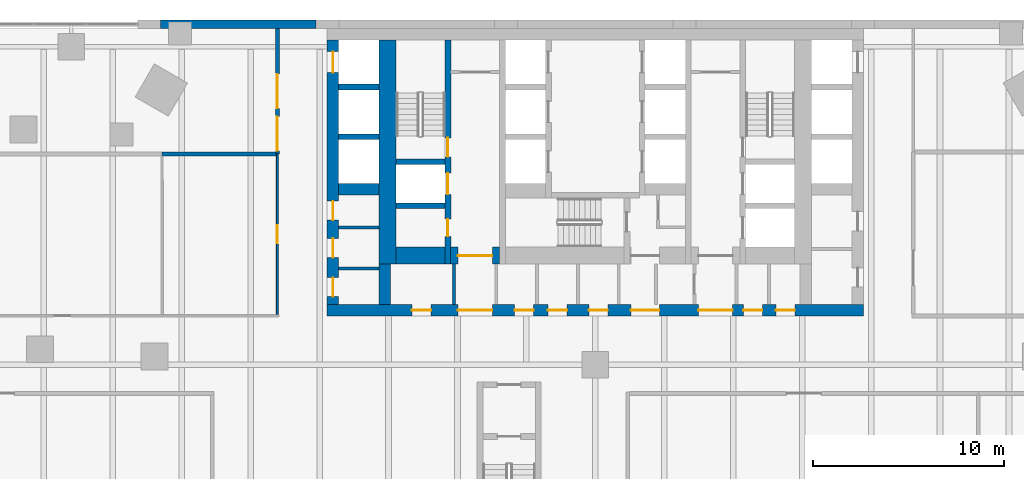
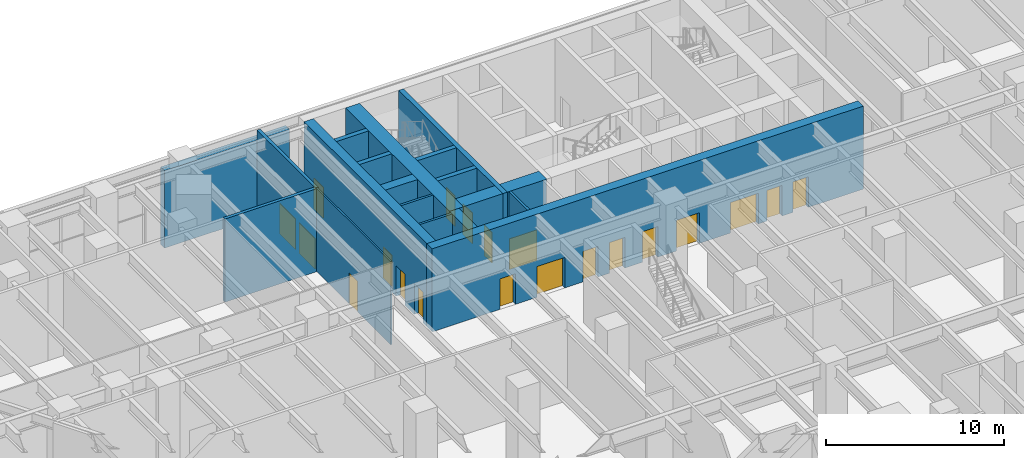
# One storey, part 32 of 37: 20 doors, 19 walls, 20 openings.
"""IFC4 building model written with IfcOpenShell, lengths in metres."""

from ifc_helpers import new_model, si_unit, direction, frame, frame_2d, origin, place, context, subcontext, project, spatial, rectangle, extrude, material, layer, layer_set, type_object, element, fill, save


model = new_model("IFC4")

# Units and contexts
model_context = context("Model", 3, precision=1e-05, world=origin(), true_north=direction((0.0, 1.0)))
body_context = subcontext(model_context, "Body", "Model", "MODEL_VIEW")
ifc_project = project(units=[si_unit("LENGTHUNIT", "METRE"), si_unit("AREAUNIT", "SQUARE_METRE"), si_unit("VOLUMEUNIT", "CUBIC_METRE"), si_unit("PLANEANGLEUNIT", "RADIAN"), si_unit("MASSUNIT", "GRAM", prefix="KILO")], contexts=[model_context])

# Site, building, storey
site_placement = place(None, origin())
site = spatial("IfcSite", under=ifc_project, at=site_placement, CompositionType="ELEMENT")
building_placement = place(site_placement, origin())
building = spatial("IfcBuilding", under=site, at=building_placement, Name="Aloe Facet Convention Tower", CompositionType="ELEMENT")
storey_placement = place(building_placement, frame((0.0, 0.0, 7.5)))
storey = spatial("IfcBuildingStorey", under=building, at=storey_placement, Name="L01", CompositionType="ELEMENT", Elevation=7.5)

# Walls
ifc_material_1 = material(Name="Concrete blockwork partition", Category="masonry")
ifc_layer_1 = layer(ifc_material_1, 0.14990234375)
ifc_layer_set_1 = layer_set([ifc_layer_1], Name="CR-W-PART150")
wall_type_1 = type_object("IfcWallType", Name="CR-W-PART150", PredefinedType="PARTITIONING", material=ifc_layer_set_1)
for number, where, z_axis, x_axis, name in (
    (1, (66.60009765625, 124.16455078125, 0.0), (0.0, 0.0, 1.0), (1.0, 0.0, 0.0), "Core partition L01-007"),
    (2, (66.60009765625, 122.02490234375, 0.0), (0.0, 0.0, 1.0), (1.0, 0.0, 0.0), "Core partition L01-008"),
):
    element("IfcWall", number, at=place(storey_placement, frame(where, z_axis=z_axis, x_axis=x_axis)), inside=storey, type_object=wall_type_1, Name=name, PredefinedType="PARTITIONING", context=body_context, shape_type="SweptSolid", body=[
        extrude(rectangle(XDim=2.099853515625, YDim=0.14990234375, at=frame_2d((1.0498046875, 0.0))), origin(), (0.0, 0.0, 1.0), 5.699951171875),
    ])
wall_1_placement = place(storey_placement, frame((72.625, 122.25, 0.0), z_axis=(0.0, 0.0, 1.0), x_axis=(0.0, -1.0, 0.0)))
element("IfcWall", 3, at=wall_1_placement, inside=storey, type_object=wall_type_1, Name="Core partition L01-017", PredefinedType="PARTITIONING", context=body_context, shape_type="SweptSolid", body=[
    extrude(rectangle(XDim=2.10009765625, YDim=0.14990234375, at=frame_2d((1.050048828125, 0.0))), origin(), (0.0, 0.0, 1.0), 5.699951171875),
])
ifc_material_2 = material(Name="Concrete C80/95", Category="concrete")
ifc_layer_2 = layer(ifc_material_2, 0.300048828125)
ifc_layer_set_2 = layer_set([ifc_layer_2], Name="CR-W-RC300-C8095")
wall_type_2 = type_object("IfcWallType", Name="CR-W-RC300-C8095", PredefinedType="SOLIDWALL", material=ifc_layer_set_2)
for number, where, z_axis, x_axis, name in (
    (4, (66.60009765625, 131.5, 0.0), (0.0, 0.0, 1.0), (1.0, 0.0, 0.0), "Core wall L01-004"),
    (5, (66.60009765625, 128.89990234375, 0.0), (0.0, 0.0, 1.0), (1.0, 0.0, 0.0), "Core wall L01-005"),
):
    element("IfcWall", number, at=place(storey_placement, frame(where, z_axis=z_axis, x_axis=x_axis)), inside=storey, type_object=wall_type_2, Name=name, PredefinedType="SOLIDWALL", context=body_context, shape_type="SweptSolid", body=[
        extrude(rectangle(XDim=2.099853515625, YDim=0.300048828125, at=frame_2d((1.0498046875, 0.0))), origin(), (0.0, 0.0, 1.0), 5.699951171875),
    ])
for number, where, z_axis, x_axis, name in (
    (6, (69.60009765625, 127.60009765625, 0.0), (0.0, 0.0, 1.0), (1.0, 0.0, 0.0), "Core wall L01-011"),
    (7, (69.60009765625, 125.300048828125, 0.0), (0.0, 0.0, 1.0), (1.0, 0.0, 0.0), "Core wall L01-012"),
):
    element("IfcWall", number, at=place(storey_placement, frame(where, z_axis=z_axis, x_axis=x_axis)), inside=storey, type_object=wall_type_2, Name=name, PredefinedType="SOLIDWALL", context=body_context, shape_type="SweptSolid", body=[
        extrude(rectangle(XDim=2.5498046875, YDim=0.300048828125, at=frame_2d((1.27490234375, 0.0))), origin(), (0.0, 0.0, 1.0), 5.699951171875),
    ])

# Wall, openings, doors
wall_2_placement = place(storey_placement, frame((72.300048828125, 133.949951171875, 0.0), z_axis=(0.0, 0.0, 1.0), x_axis=(0.0, -1.0, 0.0)))
wall_2 = element("IfcWall", 8, at=wall_2_placement, inside=storey, type_object=wall_type_2, Name="Core wall L01-014", PredefinedType="SOLIDWALL", context=body_context, shape_type="SweptSolid", body=[
    extrude(rectangle(XDim=11.699951171875, YDim=0.300048828125, at=frame_2d((5.85009765625, 0.0))), origin(), (0.0, 0.0, 1.0), 5.699951171875),
])
opening_1_placement = place(wall_2_placement, frame((6.949951171875, 0.0, 0.0)))
opening_1 = element("IfcOpeningElement", 9, at=opening_1_placement, cuts=wall_2, Name="Opening LD-FF1-L01", PredefinedType="OPENING", context=body_context, shape_type="SweptSolid", body=[
    extrude(rectangle(XDim=1.10009765625, YDim=2.10009765625, at=frame_2d((0.550048828125, 1.050048828125))), frame((0.0, 0.16015625, 0.0), z_axis=(0.0, -1.0, 0.0), x_axis=(1.0, 0.0, 0.0)), (0.0, 0.0, 1.0), 0.320068359375),
])
opening_2_placement = place(wall_2_placement, frame((9.35009765625, 0.0, 0.0)))
opening_2 = element("IfcOpeningElement", 10, at=opening_2_placement, cuts=wall_2, Name="Opening L01-CD22", PredefinedType="OPENING", context=body_context, shape_type="SweptSolid", body=[
    extrude(rectangle(XDim=0.89990234375, YDim=2.10009765625, at=frame_2d((0.449951171875, 1.050048828125))), frame((0.0, 0.16015625, 0.0), z_axis=(0.0, -1.0, 0.0), x_axis=(1.0, 0.0, 0.0)), (0.0, 0.0, 1.0), 0.320068359375),
])
opening_3_placement = place(wall_2_placement, frame((5.10009765625, 0.0, 0.0)))
opening_3 = element("IfcOpeningElement", 11, at=opening_3_placement, cuts=wall_2, Name="Opening L01-CD30", PredefinedType="OPENING", context=body_context, shape_type="SweptSolid", body=[
    extrude(rectangle(XDim=1.0, YDim=2.10009765625, at=frame_2d((0.5, 1.050048828125))), frame((0.0, 0.16015625, 0.0), z_axis=(0.0, -1.0, 0.0), x_axis=(1.0, 0.0, 0.0)), (0.0, 0.0, 1.0), 0.320068359375),
])
ifc_material_3 = material(Name="Steel fire-resisting door set FD60", Category="steel")
door_type_1 = type_object("IfcDoorType", Name="CR-D-ROOM-900-FD60-SLEFT", OperationType="SINGLE_SWING_LEFT", PredefinedType="DOOR", material=ifc_material_3)
door_1_placement = place(opening_2_placement, origin())
door_1 = element("IfcDoor", 12, at=door_1_placement, inside=storey, type_object=door_type_1, Name="Core door L01-CD22", OperationType="SINGLE_SWING_LEFT", OverallHeight=2.10009765625, OverallWidth=0.89990234375, PredefinedType="DOOR", context=body_context, shape_type="SweptSolid", body=[
    extrude(rectangle(XDim=0.89990234375, YDim=2.10009765625, at=frame_2d((0.449951171875, 1.050048828125))), frame((0.0, 0.02490234375, 0.0), z_axis=(0.0, -1.0, 0.0), x_axis=(1.0, 0.0, 0.0)), (0.0, 0.0, 1.0), 0.050048828125),
])
fill(opening_2, door_1)
ifc_material_4 = material(Name="Steel fire-resisting door set FD120", Category="steel")
door_type_2 = type_object("IfcDoorType", Name="CR-D-STAIR-1000-FD120-SRIGHT", OperationType="SINGLE_SWING_RIGHT", PredefinedType="DOOR", material=ifc_material_4)
door_2_placement = place(opening_3_placement, origin())
door_2 = element("IfcDoor", 13, at=door_2_placement, inside=storey, type_object=door_type_2, Name="Core door L01-CD30", OperationType="SINGLE_SWING_RIGHT", OverallHeight=2.10009765625, OverallWidth=1.0, PredefinedType="DOOR", context=body_context, shape_type="SweptSolid", body=[
    extrude(rectangle(XDim=1.0, YDim=2.10009765625, at=frame_2d((0.5, 1.050048828125))), frame((0.0, 0.02490234375, 0.0), z_axis=(0.0, -1.0, 0.0), x_axis=(1.0, 0.0, 0.0)), (0.0, 0.0, 1.0), 0.050048828125),
])
fill(opening_3, door_2)
ifc_material_5 = material(Name="Stainless steel sliding landing door", Category="steel")
door_type_3 = type_object("IfcDoorType", Name="CR-LD-1100-FD120-_LEFT", OperationType="SLIDING_TO_LEFT", PredefinedType="DOOR", material=ifc_material_5)
door_3_placement = place(opening_1_placement, origin())
door_3 = element("IfcDoor", 14, at=door_3_placement, inside=storey, type_object=door_type_3, Name="Landing door FF1 L01", OperationType="SLIDING_TO_LEFT", OverallHeight=2.10009765625, OverallWidth=1.10009765625, PredefinedType="DOOR", context=body_context, shape_type="SweptSolid", body=[
    extrude(rectangle(XDim=1.10009765625, YDim=2.10009765625, at=frame_2d((0.550048828125, 1.050048828125))), frame((0.0, 0.02490234375, 0.0), z_axis=(0.0, -1.0, 0.0), x_axis=(1.0, 0.0, 0.0)), (0.0, 0.0, 1.0), 0.050048828125),
])
fill(opening_1, door_3)

ifc_material_6 = material(Name="Concrete C80/95", Category="concrete")
ifc_layer_3 = layer(ifc_material_6, 0.60009765625)
ifc_layer_set_3 = layer_set([ifc_layer_3], Name="CR-W-RC600-C8095")
wall_type_3 = type_object("IfcWallType", Name="CR-W-RC600-C8095", PredefinedType="SOLIDWALL", material=ifc_layer_set_3)
wall_3_placement = place(storey_placement, frame((66.300048828125, 133.949951171875, 0.0), z_axis=(0.0, 0.0, 1.0), x_axis=(0.0, -1.0, 0.0)))
wall_3 = element("IfcWall", 15, at=wall_3_placement, inside=storey, type_object=wall_type_3, Name="Core wall L01-002", PredefinedType="SOLIDWALL", context=body_context, shape_type="SweptSolid", body=[
    extrude(rectangle(XDim=13.800048828125, YDim=0.60009765625, at=frame_2d((6.89990234375, 0.0))), origin(), (0.0, 0.0, 1.0), 5.699951171875),
])
opening_4_placement = place(wall_3_placement, frame((0.60009765625, 0.0, 0.0)))
opening_4 = element("IfcOpeningElement", 16, at=opening_4_placement, cuts=wall_3, Name="Opening LD-A7-L01", PredefinedType="OPENING", context=body_context, shape_type="SweptSolid", body=[
    extrude(rectangle(XDim=1.10009765625, YDim=2.10009765625, at=frame_2d((0.550048828125, 1.050048828125))), frame((0.0, 0.31005859375, 0.0), z_axis=(0.0, -1.0, 0.0), x_axis=(1.0, 0.0, 0.0)), (0.0, 0.0, 1.0), 0.6201171875),
])
opening_5_placement = place(wall_3_placement, frame((8.4052734375, 0.0, 0.0)))
opening_5 = element("IfcOpeningElement", 17, at=opening_5_placement, cuts=wall_3, Name="Opening L01-CD34", PredefinedType="OPENING", context=body_context, shape_type="SweptSolid", body=[
    extrude(rectangle(XDim=1.0, YDim=2.10009765625, at=frame_2d((0.5, 1.050048828125))), frame((0.0, 0.31005859375, 0.0), z_axis=(0.0, -1.0, 0.0), x_axis=(1.0, 0.0, 0.0)), (0.0, 0.0, 1.0), 0.6201171875),
])
opening_6_placement = place(wall_3_placement, frame((10.355224609375, 0.0, 0.0)))
opening_6 = element("IfcOpeningElement", 18, at=opening_6_placement, cuts=wall_3, Name="Opening L01-CD35", PredefinedType="OPENING", context=body_context, shape_type="SweptSolid", body=[
    extrude(rectangle(XDim=1.0, YDim=2.10009765625, at=frame_2d((0.5, 1.050048828125))), frame((0.0, 0.31005859375, 0.0), z_axis=(0.0, -1.0, 0.0), x_axis=(1.0, 0.0, 0.0)), (0.0, 0.0, 1.0), 0.6201171875),
])
opening_7_placement = place(wall_3_placement, frame((12.39990234375, 0.0, 0.0)))
opening_7 = element("IfcOpeningElement", 19, at=opening_7_placement, cuts=wall_3, Name="Opening L01-CD36", PredefinedType="OPENING", context=body_context, shape_type="SweptSolid", body=[
    extrude(rectangle(XDim=1.0, YDim=2.10009765625, at=frame_2d((0.5, 1.050048828125))), frame((0.0, 0.31005859375, 0.0), z_axis=(0.0, -1.0, 0.0), x_axis=(1.0, 0.0, 0.0)), (0.0, 0.0, 1.0), 0.6201171875),
])
ifc_material_7 = material(Name="Steel fire-resisting door set FD60", Category="steel")
door_type_4 = type_object("IfcDoorType", Name="CR-D-ROOM-1000-FD60-SLEFT", OperationType="SINGLE_SWING_LEFT", PredefinedType="DOOR", material=ifc_material_7)
door_4_placement = place(opening_5_placement, origin())
door_4 = element("IfcDoor", 20, at=door_4_placement, inside=storey, type_object=door_type_4, Name="Core door L01-CD34", OperationType="SINGLE_SWING_LEFT", OverallHeight=2.10009765625, OverallWidth=1.0, PredefinedType="DOOR", context=body_context, shape_type="SweptSolid", body=[
    extrude(rectangle(XDim=1.0, YDim=2.10009765625, at=frame_2d((0.5, 1.050048828125))), frame((0.0, 0.02490234375, 0.0), z_axis=(0.0, -1.0, 0.0), x_axis=(1.0, 0.0, 0.0)), (0.0, 0.0, 1.0), 0.050048828125),
])
fill(opening_5, door_4)
door_5_placement = place(opening_6_placement, origin())
door_5 = element("IfcDoor", 21, at=door_5_placement, inside=storey, type_object=door_type_4, Name="Core door L01-CD35", OperationType="SINGLE_SWING_LEFT", OverallHeight=2.10009765625, OverallWidth=1.0, PredefinedType="DOOR", context=body_context, shape_type="SweptSolid", body=[
    extrude(rectangle(XDim=1.0, YDim=2.10009765625, at=frame_2d((0.5, 1.050048828125))), frame((0.0, 0.02490234375, 0.0), z_axis=(0.0, -1.0, 0.0), x_axis=(1.0, 0.0, 0.0)), (0.0, 0.0, 1.0), 0.050048828125),
])
fill(opening_6, door_5)
door_6_placement = place(opening_7_placement, origin())
door_6 = element("IfcDoor", 22, at=door_6_placement, inside=storey, type_object=door_type_4, Name="Core door L01-CD36", OperationType="SINGLE_SWING_LEFT", OverallHeight=2.10009765625, OverallWidth=1.0, PredefinedType="DOOR", context=body_context, shape_type="SweptSolid", body=[
    extrude(rectangle(XDim=1.0, YDim=2.10009765625, at=frame_2d((0.5, 1.050048828125))), frame((0.0, 0.02490234375, 0.0), z_axis=(0.0, -1.0, 0.0), x_axis=(1.0, 0.0, 0.0)), (0.0, 0.0, 1.0), 0.050048828125),
])
fill(opening_7, door_6)
ifc_material_8 = material(Name="Stainless steel sliding landing door", Category="steel")
door_type_5 = type_object("IfcDoorType", Name="CR-LD-1100-FD60-_LEFT", OperationType="SLIDING_TO_LEFT", PredefinedType="DOOR", material=ifc_material_8)
door_7_placement = place(opening_4_placement, origin())
door_7 = element("IfcDoor", 23, at=door_7_placement, inside=storey, type_object=door_type_5, Name="Landing door A7 L01", OperationType="SLIDING_TO_LEFT", OverallHeight=2.10009765625, OverallWidth=1.10009765625, PredefinedType="DOOR", context=body_context, shape_type="SweptSolid", body=[
    extrude(rectangle(XDim=1.10009765625, YDim=2.10009765625, at=frame_2d((0.550048828125, 1.050048828125))), frame((0.0, 0.02490234375, 0.0), z_axis=(0.0, -1.0, 0.0), x_axis=(1.0, 0.0, 0.0)), (0.0, 0.0, 1.0), 0.050048828125),
])
fill(opening_4, door_7)

wall_4_placement = place(storey_placement, frame((66.0, 119.85009765625, 0.0), z_axis=(0.0, 0.0, 1.0), x_axis=(1.0, 0.0, 0.0)))
wall_4 = element("IfcWall", 24, at=wall_4_placement, inside=storey, type_object=wall_type_3, Name="Core wall L01-003", PredefinedType="SOLIDWALL", context=body_context, shape_type="SweptSolid", body=[
    extrude(rectangle(XDim=28.0, YDim=0.60009765625, at=frame_2d((14.0, 0.0))), origin(), (0.0, 0.0, 1.0), 5.699951171875),
])
opening_8_placement = place(wall_4_placement, frame((6.824951171875, 0.0, 0.0)))
opening_8 = element("IfcOpeningElement", 25, at=opening_8_placement, cuts=wall_4, Name="Opening L01-CD16", PredefinedType="OPENING", context=body_context, shape_type="SweptSolid", body=[
    extrude(rectangle(XDim=1.800048828125, YDim=2.10009765625, at=frame_2d((0.89990234375, 1.050048828125))), frame((0.0, 0.31005859375, 0.0), z_axis=(0.0, -1.0, 0.0), x_axis=(1.0, 0.0, 0.0)), (0.0, 0.0, 1.0), 0.6201171875),
])
opening_9_placement = place(wall_4_placement, frame((15.85009765625, 0.0, 0.0)))
opening_9 = element("IfcOpeningElement", 26, at=opening_9_placement, cuts=wall_4, Name="Opening L01-CD17", PredefinedType="OPENING", context=body_context, shape_type="SweptSolid", body=[
    extrude(rectangle(XDim=1.5, YDim=2.10009765625, at=frame_2d((0.75, 1.050048828125))), frame((0.0, 0.31005859375, 0.0), z_axis=(0.0, -1.0, 0.0), x_axis=(1.0, 0.0, 0.0)), (0.0, 0.0, 1.0), 0.6201171875),
])
opening_10_placement = place(wall_4_placement, frame((19.375, 0.0, 0.0)))
opening_10 = element("IfcOpeningElement", 27, at=opening_10_placement, cuts=wall_4, Name="Opening L01-CD18", PredefinedType="OPENING", context=body_context, shape_type="SweptSolid", body=[
    extrude(rectangle(XDim=1.800048828125, YDim=2.10009765625, at=frame_2d((0.89990234375, 1.050048828125))), frame((0.0, 0.31005859375, 0.0), z_axis=(0.0, -1.0, 0.0), x_axis=(1.0, 0.0, 0.0)), (0.0, 0.0, 1.0), 0.6201171875),
])
opening_11_placement = place(wall_4_placement, frame((4.425048828125, 0.0, 0.0)))
opening_11 = element("IfcOpeningElement", 28, at=opening_11_placement, cuts=wall_4, Name="Opening L01-CD23", PredefinedType="OPENING", context=body_context, shape_type="SweptSolid", body=[
    extrude(rectangle(XDim=1.0, YDim=2.10009765625, at=frame_2d((0.5, 1.050048828125))), frame((0.0, 0.31005859375, 0.0), z_axis=(0.0, -1.0, 0.0), x_axis=(1.0, 0.0, 0.0)), (0.0, 0.0, 1.0), 0.6201171875),
])
opening_12_placement = place(wall_4_placement, frame((9.783203125, 0.0, 0.0)))
opening_12 = element("IfcOpeningElement", 29, at=opening_12_placement, cuts=wall_4, Name="Opening L01-CD24", PredefinedType="OPENING", context=body_context, shape_type="SweptSolid", body=[
    extrude(rectangle(XDim=1.0, YDim=2.10009765625, at=frame_2d((0.5, 1.050048828125))), frame((0.0, 0.31005859375, 0.0), z_axis=(0.0, -1.0, 0.0), x_axis=(1.0, 0.0, 0.0)), (0.0, 0.0, 1.0), 0.6201171875),
])
opening_13_placement = place(wall_4_placement, frame((11.52490234375, 0.0, 0.0)))
opening_13 = element("IfcOpeningElement", 30, at=opening_13_placement, cuts=wall_4, Name="Opening L01-CD25", PredefinedType="OPENING", context=body_context, shape_type="SweptSolid", body=[
    extrude(rectangle(XDim=1.0, YDim=2.10009765625, at=frame_2d((0.5, 1.050048828125))), frame((0.0, 0.31005859375, 0.0), z_axis=(0.0, -1.0, 0.0), x_axis=(1.0, 0.0, 0.0)), (0.0, 0.0, 1.0), 0.6201171875),
])
opening_14_placement = place(wall_4_placement, frame((13.658203125, 0.0, 0.0)))
opening_14 = element("IfcOpeningElement", 31, at=opening_14_placement, cuts=wall_4, Name="Opening L01-CD26", PredefinedType="OPENING", context=body_context, shape_type="SweptSolid", body=[
    extrude(rectangle(XDim=1.0, YDim=2.10009765625, at=frame_2d((0.5, 1.050048828125))), frame((0.0, 0.31005859375, 0.0), z_axis=(0.0, -1.0, 0.0), x_axis=(1.0, 0.0, 0.0)), (0.0, 0.0, 1.0), 0.6201171875),
])
opening_15_placement = place(wall_4_placement, frame((21.72509765625, 0.0, 0.0)))
opening_15 = element("IfcOpeningElement", 32, at=opening_15_placement, cuts=wall_4, Name="Opening L01-CD28", PredefinedType="OPENING", context=body_context, shape_type="SweptSolid", body=[
    extrude(rectangle(XDim=1.0, YDim=2.10009765625, at=frame_2d((0.5, 1.050048828125))), frame((0.0, 0.31005859375, 0.0), z_axis=(0.0, -1.0, 0.0), x_axis=(1.0, 0.0, 0.0)), (0.0, 0.0, 1.0), 0.6201171875),
])
opening_16_placement = place(wall_4_placement, frame((23.425048828125, 0.0, 0.0)))
opening_16 = element("IfcOpeningElement", 33, at=opening_16_placement, cuts=wall_4, Name="Opening L01-CD29", PredefinedType="OPENING", context=body_context, shape_type="SweptSolid", body=[
    extrude(rectangle(XDim=1.0, YDim=2.10009765625, at=frame_2d((0.5, 1.050048828125))), frame((0.0, 0.31005859375, 0.0), z_axis=(0.0, -1.0, 0.0), x_axis=(1.0, 0.0, 0.0)), (0.0, 0.0, 1.0), 0.6201171875),
])
ifc_material_9 = material(Name="Steel fire-resisting door set FD60", Category="steel")
door_type_6 = type_object("IfcDoorType", Name="CR-D-EXIT-1500-FD60-DD", OperationType="DOUBLE_DOOR_DOUBLE_SWING", PredefinedType="DOOR", material=ifc_material_9)
door_8_placement = place(opening_9_placement, origin())
door_8 = element("IfcDoor", 34, at=door_8_placement, inside=storey, type_object=door_type_6, Name="Core door L01-CD17", OperationType="DOUBLE_DOOR_DOUBLE_SWING", OverallHeight=2.10009765625, OverallWidth=1.5, PredefinedType="DOOR", context=body_context, shape_type="SweptSolid", body=[
    extrude(rectangle(XDim=1.5, YDim=2.10009765625, at=frame_2d((0.75, 1.050048828125))), frame((0.0, 0.02490234375, 0.0), z_axis=(0.0, -1.0, 0.0), x_axis=(1.0, 0.0, 0.0)), (0.0, 0.0, 1.0), 0.050048828125),
])
fill(opening_9, door_8)
ifc_material_10 = material(Name="Steel fire-resisting door set FD60", Category="steel")
door_type_7 = type_object("IfcDoorType", Name="CR-D-EXIT-1800-FD60-DD", OperationType="DOUBLE_DOOR_DOUBLE_SWING", PredefinedType="DOOR", material=ifc_material_10)
door_9_placement = place(opening_8_placement, origin())
door_9 = element("IfcDoor", 35, at=door_9_placement, inside=storey, type_object=door_type_7, Name="Core door L01-CD16", OperationType="DOUBLE_DOOR_DOUBLE_SWING", OverallHeight=2.10009765625, OverallWidth=1.800048828125, PredefinedType="DOOR", context=body_context, shape_type="SweptSolid", body=[
    extrude(rectangle(XDim=1.800048828125, YDim=2.10009765625, at=frame_2d((0.89990234375, 1.050048828125))), frame((0.0, 0.02490234375, 0.0), z_axis=(0.0, -1.0, 0.0), x_axis=(1.0, 0.0, 0.0)), (0.0, 0.0, 1.0), 0.050048828125),
])
fill(opening_8, door_9)
door_10_placement = place(opening_10_placement, origin())
door_10 = element("IfcDoor", 36, at=door_10_placement, inside=storey, type_object=door_type_7, Name="Core door L01-CD18", OperationType="DOUBLE_DOOR_DOUBLE_SWING", OverallHeight=2.10009765625, OverallWidth=1.800048828125, PredefinedType="DOOR", context=body_context, shape_type="SweptSolid", body=[
    extrude(rectangle(XDim=1.800048828125, YDim=2.10009765625, at=frame_2d((0.89990234375, 1.050048828125))), frame((0.0, 0.02490234375, 0.0), z_axis=(0.0, -1.0, 0.0), x_axis=(1.0, 0.0, 0.0)), (0.0, 0.0, 1.0), 0.050048828125),
])
fill(opening_10, door_10)
ifc_material_11 = material(Name="Steel fire-resisting door set FD60", Category="steel")
door_type_8 = type_object("IfcDoorType", Name="CR-D-ROOM-1000-FD60-SRIGHT", OperationType="SINGLE_SWING_RIGHT", PredefinedType="DOOR", material=ifc_material_11)
door_11_placement = place(opening_11_placement, origin())
door_11 = element("IfcDoor", 37, at=door_11_placement, inside=storey, type_object=door_type_8, Name="Core door L01-CD23", OperationType="SINGLE_SWING_RIGHT", OverallHeight=2.10009765625, OverallWidth=1.0, PredefinedType="DOOR", context=body_context, shape_type="SweptSolid", body=[
    extrude(rectangle(XDim=1.0, YDim=2.10009765625, at=frame_2d((0.5, 1.050048828125))), frame((0.0, 0.02490234375, 0.0), z_axis=(0.0, -1.0, 0.0), x_axis=(1.0, 0.0, 0.0)), (0.0, 0.0, 1.0), 0.050048828125),
])
fill(opening_11, door_11)
door_12_placement = place(opening_12_placement, origin())
door_12 = element("IfcDoor", 38, at=door_12_placement, inside=storey, type_object=door_type_8, Name="Core door L01-CD24", OperationType="SINGLE_SWING_RIGHT", OverallHeight=2.10009765625, OverallWidth=1.0, PredefinedType="DOOR", context=body_context, shape_type="SweptSolid", body=[
    extrude(rectangle(XDim=1.0, YDim=2.10009765625, at=frame_2d((0.5, 1.050048828125))), frame((0.0, 0.02490234375, 0.0), z_axis=(0.0, -1.0, 0.0), x_axis=(1.0, 0.0, 0.0)), (0.0, 0.0, 1.0), 0.050048828125),
])
fill(opening_12, door_12)
door_13_placement = place(opening_13_placement, origin())
door_13 = element("IfcDoor", 39, at=door_13_placement, inside=storey, type_object=door_type_8, Name="Core door L01-CD25", OperationType="SINGLE_SWING_RIGHT", OverallHeight=2.10009765625, OverallWidth=1.0, PredefinedType="DOOR", context=body_context, shape_type="SweptSolid", body=[
    extrude(rectangle(XDim=1.0, YDim=2.10009765625, at=frame_2d((0.5, 1.050048828125))), frame((0.0, 0.02490234375, 0.0), z_axis=(0.0, -1.0, 0.0), x_axis=(1.0, 0.0, 0.0)), (0.0, 0.0, 1.0), 0.050048828125),
])
fill(opening_13, door_13)
door_14_placement = place(opening_14_placement, origin())
door_14 = element("IfcDoor", 40, at=door_14_placement, inside=storey, type_object=door_type_8, Name="Core door L01-CD26", OperationType="SINGLE_SWING_RIGHT", OverallHeight=2.10009765625, OverallWidth=1.0, PredefinedType="DOOR", context=body_context, shape_type="SweptSolid", body=[
    extrude(rectangle(XDim=1.0, YDim=2.10009765625, at=frame_2d((0.5, 1.050048828125))), frame((0.0, 0.02490234375, 0.0), z_axis=(0.0, -1.0, 0.0), x_axis=(1.0, 0.0, 0.0)), (0.0, 0.0, 1.0), 0.050048828125),
])
fill(opening_14, door_14)
door_15_placement = place(opening_15_placement, origin())
door_15 = element("IfcDoor", 41, at=door_15_placement, inside=storey, type_object=door_type_8, Name="Core door L01-CD28", OperationType="SINGLE_SWING_RIGHT", OverallHeight=2.10009765625, OverallWidth=1.0, PredefinedType="DOOR", context=body_context, shape_type="SweptSolid", body=[
    extrude(rectangle(XDim=1.0, YDim=2.10009765625, at=frame_2d((0.5, 1.050048828125))), frame((0.0, 0.02490234375, 0.0), z_axis=(0.0, -1.0, 0.0), x_axis=(1.0, 0.0, 0.0)), (0.0, 0.0, 1.0), 0.050048828125),
])
fill(opening_15, door_15)
door_16_placement = place(opening_16_placement, origin())
door_16 = element("IfcDoor", 42, at=door_16_placement, inside=storey, type_object=door_type_8, Name="Core door L01-CD29", OperationType="SINGLE_SWING_RIGHT", OverallHeight=2.10009765625, OverallWidth=1.0, PredefinedType="DOOR", context=body_context, shape_type="SweptSolid", body=[
    extrude(rectangle(XDim=1.0, YDim=2.10009765625, at=frame_2d((0.5, 1.050048828125))), frame((0.0, 0.02490234375, 0.0), z_axis=(0.0, -1.0, 0.0), x_axis=(1.0, 0.0, 0.0)), (0.0, 0.0, 1.0), 0.050048828125),
])
fill(opening_16, door_16)

# Walls
wall_5_placement = place(storey_placement, frame((66.60009765625, 126.14990234375, 0.0), z_axis=(0.0, 0.0, 1.0), x_axis=(1.0, 0.0, 0.0)))
element("IfcWall", 43, at=wall_5_placement, inside=storey, type_object=wall_type_3, Name="Core wall L01-006", PredefinedType="SOLIDWALL", context=body_context, shape_type="SweptSolid", body=[
    extrude(rectangle(XDim=2.099853515625, YDim=0.60009765625, at=frame_2d((1.0498046875, 0.0))), origin(), (0.0, 0.0, 1.0), 5.699951171875),
])
wall_6_placement = place(storey_placement, frame((69.0, 122.25, 0.0), z_axis=(0.0, 0.0, 1.0), x_axis=(0.0, -1.0, 0.0)))
element("IfcWall", 44, at=wall_6_placement, inside=storey, type_object=wall_type_3, Name="Core wall L01-010", PredefinedType="SOLIDWALL", context=body_context, shape_type="SweptSolid", body=[
    extrude(rectangle(XDim=2.10009765625, YDim=0.60009765625, at=frame_2d((1.050048828125, 0.0))), origin(), (0.0, 0.0, 1.0), 5.699951171875),
])
ifc_material_12 = material(Name="Concrete C80/95", Category="concrete")
ifc_layer_4 = layer(ifc_material_12, 0.89990234375)
ifc_layer_set_4 = layer_set([ifc_layer_4], Name="CR-W-RC900-C8095")
wall_type_4 = type_object("IfcWallType", Name="CR-W-RC900-C8095", PredefinedType="SOLIDWALL", material=ifc_layer_set_4)
wall_7_placement = place(storey_placement, frame((69.14990234375, 133.949951171875, 0.0), z_axis=(0.0, 0.0, 1.0), x_axis=(0.0, -1.0, 0.0)))
element("IfcWall", 45, at=wall_7_placement, inside=storey, type_object=wall_type_4, Name="Core wall L01-009", PredefinedType="SOLIDWALL", context=body_context, shape_type="SweptSolid", body=[
    extrude(rectangle(XDim=11.699951171875, YDim=0.89990234375, at=frame_2d((5.85009765625, 0.0))), origin(), (0.0, 0.0, 1.0), 5.699951171875),
])
wall_8_placement = place(storey_placement, frame((69.60009765625, 122.699951171875, 0.0), z_axis=(0.0, 0.0, 1.0), x_axis=(1.0, 0.0, 0.0)))
element("IfcWall", 46, at=wall_8_placement, inside=storey, type_object=wall_type_4, Name="Core wall L01-013", PredefinedType="SOLIDWALL", context=body_context, shape_type="SweptSolid", body=[
    extrude(rectangle(XDim=2.5498046875, YDim=0.89990234375, at=frame_2d((1.27490234375, 0.0))), origin(), (0.0, 0.0, 1.0), 5.699951171875),
])

# Wall, opening, door
wall_9_placement = place(storey_placement, frame((72.449951171875, 122.699951171875, 0.0), z_axis=(0.0, 0.0, 1.0), x_axis=(1.0, 0.0, 0.0)))
wall_9 = element("IfcWall", 47, at=wall_9_placement, inside=storey, type_object=wall_type_4, Name="Core wall L01-016", PredefinedType="SOLIDWALL", context=body_context, shape_type="SweptSolid", body=[
    extrude(rectangle(XDim=2.550048828125, YDim=0.89990234375, at=frame_2d((1.27490234375, 0.0))), origin(), (0.0, 0.0, 1.0), 5.699951171875),
])
opening_17_placement = place(wall_9_placement, frame((0.375, 0.0, 0.0)))
opening_17 = element("IfcOpeningElement", 48, at=opening_17_placement, cuts=wall_9, Name="Opening L01-CD14", PredefinedType="OPENING", context=body_context, shape_type="SweptSolid", body=[
    extrude(rectangle(XDim=1.800048828125, YDim=2.10009765625, at=frame_2d((0.89990234375, 1.050048828125))), frame((0.0, 0.4599609375, 0.0), z_axis=(0.0, -1.0, 0.0), x_axis=(1.0, 0.0, 0.0)), (0.0, 0.0, 1.0), 0.919921875),
])
ifc_material_13 = material(Name="Steel fire-resisting door set FD120", Category="steel")
door_type_9 = type_object("IfcDoorType", Name="CR-D-EXIT-1800-FD120-DD", OperationType="DOUBLE_DOOR_DOUBLE_SWING", PredefinedType="DOOR", material=ifc_material_13)
door_17_placement = place(opening_17_placement, origin())
door_17 = element("IfcDoor", 49, at=door_17_placement, inside=storey, type_object=door_type_9, Name="Core door L01-CD14", OperationType="DOUBLE_DOOR_DOUBLE_SWING", OverallHeight=2.10009765625, OverallWidth=1.800048828125, PredefinedType="DOOR", context=body_context, shape_type="SweptSolid", body=[
    extrude(rectangle(XDim=1.800048828125, YDim=2.10009765625, at=frame_2d((0.89990234375, 1.050048828125))), frame((0.0, 0.02490234375, 0.0), z_axis=(0.0, -1.0, 0.0), x_axis=(1.0, 0.0, 0.0)), (0.0, 0.0, 1.0), 0.050048828125),
])
fill(opening_17, door_17)

# Wall
ifc_material_14 = material(Name="Precast concrete C40/50", Category="concrete")
ifc_layer_5 = layer(ifc_material_14, 0.449951171875)
ifc_layer_set_5 = layer_set([ifc_layer_5], Name="EV-WALL-STONE")
wall_type_5 = type_object("IfcWallType", Name="EV-WALL-STONE", PredefinedType="SOLIDWALL", material=ifc_layer_set_5)
wall_10_placement = place(storey_placement, frame((65.41796875, 134.77490234375, -0.300048828125), z_axis=(0.0, 0.0, 1.0), x_axis=(-1.0, 0.0, 0.0)))
element("IfcWall", 50, at=wall_10_placement, inside=storey, type_object=wall_type_5, Name="PW-L01-N16", PredefinedType="SOLIDWALL", context=body_context, shape_type="SweptSolid", body=[
    extrude(rectangle(XDim=8.121337890625, YDim=0.449951171875, at=frame_2d((4.060546875, 0.0))), origin(), (0.0, 0.0, 1.0), 5.3125),
])

# Wall, openings, doors
ifc_material_15 = material(Name="Masonry blockwork wall, plastered", Category="masonry")
ifc_layer_6 = layer(ifc_material_15, 0.199951171875)
ifc_layer_set_6 = layer_set([ifc_layer_6], Name="IN-POD-W-ASSY")
wall_type_6 = type_object("IfcWallType", Name="IN-POD-W-ASSY", PredefinedType="PARTITIONING", material=ifc_layer_set_6)
wall_11_placement = place(storey_placement, frame((63.39990234375, 128.010009765625, 0.0), z_axis=(0.0, 0.0, 1.0), x_axis=(0.0, 1.0, 0.0)))
wall_11 = element("IfcWall", 51, at=wall_11_placement, inside=storey, type_object=wall_type_6, Name="Partition L01-W046", PredefinedType="PARTITIONING", context=body_context, shape_type="SweptSolid", body=[
    extrude(rectangle(XDim=6.5400390625, YDim=0.199951171875, at=frame_2d((3.27001953125, 0.0))), origin(), (0.0, 0.0, 1.0), 5.699951171875),
])
opening_18_placement = place(wall_11_placement, frame((2.369873046875, 0.0, 0.0)))
opening_18 = element("IfcOpeningElement", 52, at=opening_18_placement, cuts=wall_11, Name="Opening L01-011", PredefinedType="OPENING", context=body_context, shape_type="SweptSolid", body=[
    extrude(rectangle(XDim=1.800048828125, YDim=2.10009765625, at=frame_2d((0.89990234375, 1.050048828125))), frame((0.0, 0.10986328125, 0.0), z_axis=(0.0, -1.0, 0.0), x_axis=(1.0, 0.0, 0.0)), (0.0, 0.0, 1.0), 0.219970703125),
])
opening_19_placement = place(wall_11_placement, frame((0.14990234375, 0.0, 0.0)))
opening_19 = element("IfcOpeningElement", 53, at=opening_19_placement, cuts=wall_11, Name="Opening L01-012", PredefinedType="OPENING", context=body_context, shape_type="SweptSolid", body=[
    extrude(rectangle(XDim=1.800048828125, YDim=2.10009765625, at=frame_2d((0.89990234375, 1.050048828125))), frame((0.0, 0.10986328125, 0.0), z_axis=(0.0, -1.0, 0.0), x_axis=(1.0, 0.0, 0.0)), (0.0, 0.0, 1.0), 0.219970703125),
])
ifc_material_16 = material(Name="Hardwood flush door pair", Category="wood")
door_type_10 = type_object("IfcDoorType", Name="IN-POD-D-PAIR", OperationType="DOUBLE_DOOR_SINGLE_SWING", PredefinedType="DOOR", material=ifc_material_16)
door_18_placement = place(opening_18_placement, origin())
door_18 = element("IfcDoor", 54, at=door_18_placement, inside=storey, type_object=door_type_10, Name="Door L01-011", OperationType="SINGLE_SWING_LEFT", OverallHeight=2.10009765625, OverallWidth=1.800048828125, PredefinedType="DOOR", context=body_context, shape_type="SweptSolid", body=[
    extrude(rectangle(XDim=1.800048828125, YDim=2.10009765625, at=frame_2d((0.89990234375, 1.050048828125))), frame((0.0, 0.02490234375, 0.0), z_axis=(0.0, -1.0, 0.0), x_axis=(1.0, 0.0, 0.0)), (0.0, 0.0, 1.0), 0.050048828125),
])
fill(opening_18, door_18)
door_19_placement = place(opening_19_placement, origin())
door_19 = element("IfcDoor", 55, at=door_19_placement, inside=storey, type_object=door_type_10, Name="Door L01-012", OperationType="SINGLE_SWING_LEFT", OverallHeight=2.10009765625, OverallWidth=1.800048828125, PredefinedType="DOOR", context=body_context, shape_type="SweptSolid", body=[
    extrude(rectangle(XDim=1.800048828125, YDim=2.10009765625, at=frame_2d((0.89990234375, 1.050048828125))), frame((0.0, 0.02490234375, 0.0), z_axis=(0.0, -1.0, 0.0), x_axis=(1.0, 0.0, 0.0)), (0.0, 0.0, 1.0), 0.050048828125),
])
fill(opening_19, door_19)

# Wall
wall_12_placement = place(storey_placement, frame((57.3720703125, 128.0, 0.0), z_axis=(0.0, 0.0, 1.0), x_axis=(0.999998649867, 0.001643248131, 0.0)))
element("IfcWall", 56, at=wall_12_placement, inside=storey, type_object=wall_type_6, Name="Partition L01-W053", PredefinedType="PARTITIONING", context=body_context, shape_type="SweptSolid", body=[
    extrude(rectangle(XDim=5.94287109375, YDim=0.199951171875, at=frame_2d((2.971435546875, 0.0))), origin(), (0.0, 0.0, 1.0), 5.699951171875),
])

# Wall, opening, door
ifc_material_17 = material(Name="Gypsum board partition on steel studs, moisture resistant", Category="steel")
ifc_layer_7 = layer(ifc_material_17, 0.10009765625)
ifc_layer_set_7 = layer_set([ifc_layer_7], Name="IN-POD-W-WET")
wall_type_7 = type_object("IfcWallType", Name="IN-POD-W-WET", PredefinedType="PARTITIONING", material=ifc_layer_set_7)
wall_13_placement = place(storey_placement, frame((63.3994140625, 119.625, 0.0), z_axis=(0.0, 0.0, 1.0), x_axis=(5.8232639e-05, 0.999999998304, 0.0)))
wall_13 = element("IfcWall", 57, at=wall_13_placement, inside=storey, type_object=wall_type_7, Name="Partition L01-W045", PredefinedType="PARTITIONING", context=body_context, shape_type="SweptSolid", body=[
    extrude(rectangle(XDim=8.385009765625, YDim=0.10009765625, at=frame_2d((4.1923828125, 0.0))), origin(), (0.0, 0.0, 1.0), 5.699951171875),
])
opening_20_placement = place(wall_13_placement, frame((3.717529296875, 0.0, 0.0)))
opening_20 = element("IfcOpeningElement", 58, at=opening_20_placement, cuts=wall_13, Name="Opening L01-003", PredefinedType="OPENING", context=body_context, shape_type="SweptSolid", body=[
    extrude(rectangle(XDim=0.949951171875, YDim=2.10009765625, at=frame_2d((0.47509765625, 1.050048828125))), frame((0.0, 0.06005859375, 0.0), z_axis=(0.0, -1.0, 0.0), x_axis=(1.0, 0.0, 0.0)), (0.0, 0.0, 1.0), 0.1201171875),
])
ifc_material_18 = material(Name="Hardwood flush door, 950 mm clear leaf", Category="wood")
door_type_11 = type_object("IfcDoorType", Name="IN-POD-D-ACC", OperationType="SINGLE_SWING_LEFT", PredefinedType="DOOR", material=ifc_material_18)
door_20_placement = place(opening_20_placement, origin())
door_20 = element("IfcDoor", 59, at=door_20_placement, inside=storey, type_object=door_type_11, Name="Door L01-003", OperationType="SINGLE_SWING_LEFT", OverallHeight=2.10009765625, OverallWidth=0.949951171875, PredefinedType="DOOR", context=body_context, shape_type="SweptSolid", body=[
    extrude(rectangle(XDim=0.949951171875, YDim=2.10009765625, at=frame_2d((0.47509765625, 1.050048828125))), frame((0.0, 0.02490234375, 0.0), z_axis=(0.0, -1.0, 0.0), x_axis=(1.0, 0.0, 0.0)), (0.0, 0.0, 1.0), 0.050048828125),
])
fill(opening_20, door_20)

save(model, "model.ifc")
